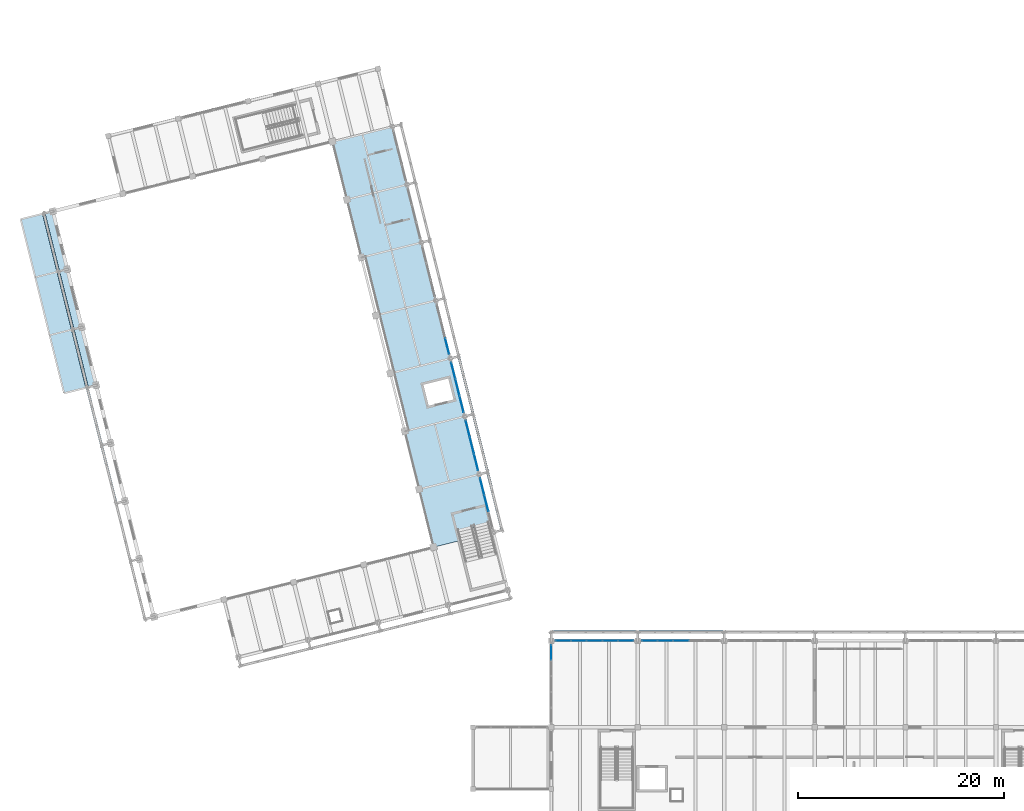
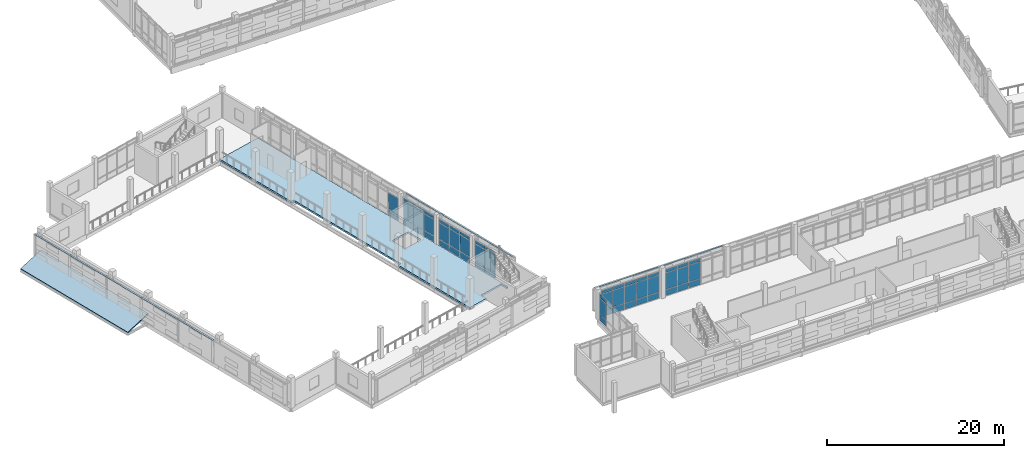
# One storey, part 94 of 137: 63 plates, 2 slabs, 7 elements without a shape of their own.
"""IFC4 building model written with IfcOpenShell, lengths in metres."""

from ifc_helpers import new_model, si_unit, direction, frame, origin, origin_2d, place, context, subcontext, project, spatial, polyline, rectangle, outline, extrude, material, layer, layer_set, type_object, element, aggregate, save


model = new_model("IFC4")

# Units and contexts
model_context = context("Model", 3, precision=1e-05, world=origin(), true_north=direction((0.0, 1.0)))
body_context = subcontext(model_context, "Body", "Model", "MODEL_VIEW")
ifc_project = project(units=[si_unit("LENGTHUNIT", "METRE"), si_unit("AREAUNIT", "SQUARE_METRE"), si_unit("VOLUMEUNIT", "CUBIC_METRE"), si_unit("PLANEANGLEUNIT", "RADIAN"), si_unit("MASSUNIT", "GRAM", prefix="KILO")], contexts=[model_context])

# Site, building, storey
site_placement = place(None, origin())
site = spatial("IfcSite", under=ifc_project, at=site_placement, CompositionType="ELEMENT")
building_placement = place(site_placement, origin())
building = spatial("IfcBuilding", under=site, at=building_placement, Name="Cinderway Yard Community Centre", CompositionType="ELEMENT")
storey_placement = place(building_placement, frame((0.0, 0.0, 4.800048828125)))
storey = spatial("IfcBuildingStorey", under=building, at=storey_placement, Name="L01", CompositionType="ELEMENT", Elevation=4.800048828125)

# Curtain wall, plates
ifc_material_1 = material(Name="Aluminium 6063-T6", Category="aluminium")
curtain_wall_type_1 = type_object("IfcCurtainWallType", Name="ENV-CW-TYPE-26", PredefinedType="USERDEFINED", material=ifc_material_1)
curtain_wall_1_placement = place(storey_placement, origin())
curtain_wall_1 = element("IfcCurtainWall", 1, at=curtain_wall_1_placement, inside=storey, type_object=curtain_wall_type_1, Name="Dining Courtyard Curtain Wall ENV-CW-L01-ST-0093", ObjectType="GLAZED CURTAIN WALL", PredefinedType="USERDEFINED")
ifc_material_2 = material(Name="Laminated Low-E Glass", Category="glass")
ifc_layer_1 = layer(ifc_material_2, 0.028076171875, Name="Laminated Low-E Glass")
ifc_layer_set_1 = layer_set([ifc_layer_1], Name="Laminated Low-E Glass")
plate_type_1 = type_object("IfcPlateType", Name="ENV-CW-PAN-IGU28", PredefinedType="CURTAIN_PANEL", material=ifc_layer_set_1)
plate_1_placement = place(storey_placement, frame((59.55908203125, 22.800048828125, 0.059814453125), z_axis=(0.0, 0.0, 1.0), x_axis=(1.0, 0.0, 0.0)))
plate_1 = element("IfcPlate", 2, at=plate_1_placement, type_object=plate_type_1, Name="CW-26 panel 1.1", PredefinedType="CURTAIN_PANEL", context=body_context, shape_type="SweptSolid", body=[
    extrude(rectangle(XDim=1.43798828125, YDim=0.028076171875, at=origin_2d()), origin(), (0.0, 0.0, 1.0), 0.81005859375),
])
plate_2_placement = place(storey_placement, frame((59.55908203125, 22.800048828125, 0.93017578125), z_axis=(0.0, 0.0, 1.0), x_axis=(1.0, 0.0, 0.0)))
plate_2 = element("IfcPlate", 3, at=plate_2_placement, type_object=plate_type_1, Name="CW-26 panel 1.2", PredefinedType="CURTAIN_PANEL", context=body_context, shape_type="SweptSolid", body=[
    extrude(rectangle(XDim=1.43798828125, YDim=0.028076171875, at=origin_2d()), origin(), (0.0, 0.0, 1.0), 2.239990234375),
])
plate_3_placement = place(storey_placement, frame((59.55908203125, 22.800048828125, 3.22998046875), z_axis=(0.0, 0.0, 1.0), x_axis=(1.0, 0.0, 0.0)))
plate_3 = element("IfcPlate", 4, at=plate_3_placement, type_object=plate_type_1, Name="CW-26 panel 1.3", PredefinedType="CURTAIN_PANEL", context=body_context, shape_type="SweptSolid", body=[
    extrude(rectangle(XDim=1.43798828125, YDim=0.028076171875, at=origin_2d()), origin(), (0.0, 0.0, 1.0), 0.4599609375),
])
plate_4_placement = place(storey_placement, frame((61.072021484375, 22.800048828125, 0.059814453125), z_axis=(0.0, 0.0, 1.0), x_axis=(1.0, 0.0, 0.0)))
plate_4 = element("IfcPlate", 5, at=plate_4_placement, type_object=plate_type_1, Name="CW-26 panel 2.1", PredefinedType="CURTAIN_PANEL", context=body_context, shape_type="SweptSolid", body=[
    extrude(rectangle(XDim=1.468017578125, YDim=0.028076171875, at=origin_2d()), origin(), (0.0, 0.0, 1.0), 0.81005859375),
])
plate_5_placement = place(storey_placement, frame((61.072021484375, 22.800048828125, 0.93017578125), z_axis=(0.0, 0.0, 1.0), x_axis=(1.0, 0.0, 0.0)))
plate_5 = element("IfcPlate", 6, at=plate_5_placement, type_object=plate_type_1, Name="CW-26 panel 2.2", PredefinedType="CURTAIN_PANEL", context=body_context, shape_type="SweptSolid", body=[
    extrude(rectangle(XDim=1.468017578125, YDim=0.028076171875, at=origin_2d()), origin(), (0.0, 0.0, 1.0), 2.239990234375),
])
plate_6_placement = place(storey_placement, frame((61.072021484375, 22.800048828125, 3.22998046875), z_axis=(0.0, 0.0, 1.0), x_axis=(1.0, 0.0, 0.0)))
plate_6 = element("IfcPlate", 7, at=plate_6_placement, type_object=plate_type_1, Name="CW-26 panel 2.3", PredefinedType="CURTAIN_PANEL", context=body_context, shape_type="SweptSolid", body=[
    extrude(rectangle(XDim=1.468017578125, YDim=0.028076171875, at=origin_2d()), origin(), (0.0, 0.0, 1.0), 0.4599609375),
])
plate_7_placement = place(storey_placement, frame((62.60009765625, 22.800048828125, 0.059814453125), z_axis=(0.0, 0.0, 1.0), x_axis=(1.0, 0.0, 0.0)))
plate_7 = element("IfcPlate", 8, at=plate_7_placement, type_object=plate_type_1, Name="CW-26 panel 3.1", PredefinedType="CURTAIN_PANEL", context=body_context, shape_type="SweptSolid", body=[
    extrude(rectangle(XDim=1.468017578125, YDim=0.028076171875, at=origin_2d()), origin(), (0.0, 0.0, 1.0), 0.81005859375),
])
plate_8_placement = place(storey_placement, frame((62.60009765625, 22.800048828125, 0.93017578125), z_axis=(0.0, 0.0, 1.0), x_axis=(1.0, 0.0, 0.0)))
plate_8 = element("IfcPlate", 9, at=plate_8_placement, type_object=plate_type_1, Name="CW-26 panel 3.2", PredefinedType="CURTAIN_PANEL", context=body_context, shape_type="SweptSolid", body=[
    extrude(rectangle(XDim=1.468017578125, YDim=0.028076171875, at=origin_2d()), origin(), (0.0, 0.0, 1.0), 2.239990234375),
])
plate_9_placement = place(storey_placement, frame((62.60009765625, 22.800048828125, 3.22998046875), z_axis=(0.0, 0.0, 1.0), x_axis=(1.0, 0.0, 0.0)))
plate_9 = element("IfcPlate", 10, at=plate_9_placement, type_object=plate_type_1, Name="CW-26 panel 3.3", PredefinedType="CURTAIN_PANEL", context=body_context, shape_type="SweptSolid", body=[
    extrude(rectangle(XDim=1.468017578125, YDim=0.028076171875, at=origin_2d()), origin(), (0.0, 0.0, 1.0), 0.4599609375),
])
plate_10_placement = place(storey_placement, frame((64.1279296875, 22.800048828125, 0.059814453125), z_axis=(0.0, 0.0, 1.0), x_axis=(1.0, 0.0, 0.0)))
plate_10 = element("IfcPlate", 11, at=plate_10_placement, type_object=plate_type_1, Name="CW-26 panel 4.1", PredefinedType="CURTAIN_PANEL", context=body_context, shape_type="SweptSolid", body=[
    extrude(rectangle(XDim=1.468017578125, YDim=0.028076171875, at=origin_2d()), origin(), (0.0, 0.0, 1.0), 0.81005859375),
])
plate_11_placement = place(storey_placement, frame((64.1279296875, 22.800048828125, 0.93017578125), z_axis=(0.0, 0.0, 1.0), x_axis=(1.0, 0.0, 0.0)))
plate_11 = element("IfcPlate", 12, at=plate_11_placement, type_object=plate_type_1, Name="CW-26 panel 4.2", PredefinedType="CURTAIN_PANEL", context=body_context, shape_type="SweptSolid", body=[
    extrude(rectangle(XDim=1.468017578125, YDim=0.028076171875, at=origin_2d()), origin(), (0.0, 0.0, 1.0), 2.239990234375),
])
plate_12_placement = place(storey_placement, frame((64.1279296875, 22.800048828125, 3.22998046875), z_axis=(0.0, 0.0, 1.0), x_axis=(1.0, 0.0, 0.0)))
plate_12 = element("IfcPlate", 13, at=plate_12_placement, type_object=plate_type_1, Name="CW-26 panel 4.3", PredefinedType="CURTAIN_PANEL", context=body_context, shape_type="SweptSolid", body=[
    extrude(rectangle(XDim=1.468017578125, YDim=0.028076171875, at=origin_2d()), origin(), (0.0, 0.0, 1.0), 0.4599609375),
])
plate_13_placement = place(storey_placement, frame((65.64111328125, 22.800048828125, 0.059814453125), z_axis=(0.0, 0.0, 1.0), x_axis=(1.0, 0.0, 0.0)))
plate_13 = element("IfcPlate", 14, at=plate_13_placement, type_object=plate_type_1, Name="CW-26 panel 5.1", PredefinedType="CURTAIN_PANEL", context=body_context, shape_type="SweptSolid", body=[
    extrude(rectangle(XDim=1.43798828125, YDim=0.028076171875, at=origin_2d()), origin(), (0.0, 0.0, 1.0), 0.81005859375),
])
plate_14_placement = place(storey_placement, frame((65.64111328125, 22.800048828125, 0.93017578125), z_axis=(0.0, 0.0, 1.0), x_axis=(1.0, 0.0, 0.0)))
plate_14 = element("IfcPlate", 15, at=plate_14_placement, type_object=plate_type_1, Name="CW-26 panel 5.2", PredefinedType="CURTAIN_PANEL", context=body_context, shape_type="SweptSolid", body=[
    extrude(rectangle(XDim=1.43798828125, YDim=0.028076171875, at=origin_2d()), origin(), (0.0, 0.0, 1.0), 2.239990234375),
])
plate_15_placement = place(storey_placement, frame((65.64111328125, 22.800048828125, 3.22998046875), z_axis=(0.0, 0.0, 1.0), x_axis=(1.0, 0.0, 0.0)))
plate_15 = element("IfcPlate", 16, at=plate_15_placement, type_object=plate_type_1, Name="CW-26 panel 5.3", PredefinedType="CURTAIN_PANEL", context=body_context, shape_type="SweptSolid", body=[
    extrude(rectangle(XDim=1.43798828125, YDim=0.028076171875, at=origin_2d()), origin(), (0.0, 0.0, 1.0), 0.4599609375),
])
aggregate(curtain_wall_1, [plate_1, plate_2, plate_3, plate_4, plate_5, plate_6, plate_7, plate_8, plate_9, plate_10, plate_11, plate_12, plate_13, plate_14, plate_15])

curtain_wall_2_placement = place(storey_placement, origin())
curtain_wall_2 = element("IfcCurtainWall", 17, at=curtain_wall_2_placement, inside=storey, type_object=curtain_wall_type_1, Name="Dining Courtyard Curtain Wall ENV-CW-L01-ST-0094", ObjectType="GLAZED CURTAIN WALL", PredefinedType="USERDEFINED")
plate_16_placement = place(storey_placement, frame((67.958984375, 22.800048828125, 0.059814453125), z_axis=(0.0, 0.0, 1.0), x_axis=(1.0, 0.0, 0.0)))
plate_16 = element("IfcPlate", 18, at=plate_16_placement, type_object=plate_type_1, Name="CW-26 panel 1.1", PredefinedType="CURTAIN_PANEL", context=body_context, shape_type="SweptSolid", body=[
    extrude(rectangle(XDim=1.43798828125, YDim=0.028076171875, at=origin_2d()), origin(), (0.0, 0.0, 1.0), 0.81005859375),
])
plate_17_placement = place(storey_placement, frame((67.958984375, 22.800048828125, 0.93017578125), z_axis=(0.0, 0.0, 1.0), x_axis=(1.0, 0.0, 0.0)))
plate_17 = element("IfcPlate", 19, at=plate_17_placement, type_object=plate_type_1, Name="CW-26 panel 1.2", PredefinedType="CURTAIN_PANEL", context=body_context, shape_type="SweptSolid", body=[
    extrude(rectangle(XDim=1.43798828125, YDim=0.028076171875, at=origin_2d()), origin(), (0.0, 0.0, 1.0), 2.239990234375),
])
plate_18_placement = place(storey_placement, frame((67.958984375, 22.800048828125, 3.22998046875), z_axis=(0.0, 0.0, 1.0), x_axis=(1.0, 0.0, 0.0)))
plate_18 = element("IfcPlate", 20, at=plate_18_placement, type_object=plate_type_1, Name="CW-26 panel 1.3", PredefinedType="CURTAIN_PANEL", context=body_context, shape_type="SweptSolid", body=[
    extrude(rectangle(XDim=1.43798828125, YDim=0.028076171875, at=origin_2d()), origin(), (0.0, 0.0, 1.0), 0.4599609375),
])
plate_19_placement = place(storey_placement, frame((69.471923828125, 22.800048828125, 0.059814453125), z_axis=(0.0, 0.0, 1.0), x_axis=(1.0, 0.0, 0.0)))
plate_19 = element("IfcPlate", 21, at=plate_19_placement, type_object=plate_type_1, Name="CW-26 panel 2.1", PredefinedType="CURTAIN_PANEL", context=body_context, shape_type="SweptSolid", body=[
    extrude(rectangle(XDim=1.468017578125, YDim=0.028076171875, at=origin_2d()), origin(), (0.0, 0.0, 1.0), 0.81005859375),
])
plate_20_placement = place(storey_placement, frame((69.471923828125, 22.800048828125, 0.93017578125), z_axis=(0.0, 0.0, 1.0), x_axis=(1.0, 0.0, 0.0)))
plate_20 = element("IfcPlate", 22, at=plate_20_placement, type_object=plate_type_1, Name="CW-26 panel 2.2", PredefinedType="CURTAIN_PANEL", context=body_context, shape_type="SweptSolid", body=[
    extrude(rectangle(XDim=1.468017578125, YDim=0.028076171875, at=origin_2d()), origin(), (0.0, 0.0, 1.0), 2.239990234375),
])
plate_21_placement = place(storey_placement, frame((69.471923828125, 22.800048828125, 3.22998046875), z_axis=(0.0, 0.0, 1.0), x_axis=(1.0, 0.0, 0.0)))
plate_21 = element("IfcPlate", 23, at=plate_21_placement, type_object=plate_type_1, Name="CW-26 panel 2.3", PredefinedType="CURTAIN_PANEL", context=body_context, shape_type="SweptSolid", body=[
    extrude(rectangle(XDim=1.468017578125, YDim=0.028076171875, at=origin_2d()), origin(), (0.0, 0.0, 1.0), 0.4599609375),
])
plate_22_placement = place(storey_placement, frame((71.0, 22.800048828125, 0.059814453125), z_axis=(0.0, 0.0, 1.0), x_axis=(1.0, 0.0, 0.0)))
plate_22 = element("IfcPlate", 24, at=plate_22_placement, type_object=plate_type_1, Name="CW-26 panel 3.1", PredefinedType="CURTAIN_PANEL", context=body_context, shape_type="SweptSolid", body=[
    extrude(rectangle(XDim=1.468017578125, YDim=0.028076171875, at=origin_2d()), origin(), (0.0, 0.0, 1.0), 0.81005859375),
])
plate_23_placement = place(storey_placement, frame((71.0, 22.800048828125, 0.93017578125), z_axis=(0.0, 0.0, 1.0), x_axis=(1.0, 0.0, 0.0)))
plate_23 = element("IfcPlate", 25, at=plate_23_placement, type_object=plate_type_1, Name="CW-26 panel 3.2", PredefinedType="CURTAIN_PANEL", context=body_context, shape_type="SweptSolid", body=[
    extrude(rectangle(XDim=1.468017578125, YDim=0.028076171875, at=origin_2d()), origin(), (0.0, 0.0, 1.0), 2.239990234375),
])
plate_24_placement = place(storey_placement, frame((71.0, 22.800048828125, 3.22998046875), z_axis=(0.0, 0.0, 1.0), x_axis=(1.0, 0.0, 0.0)))
plate_24 = element("IfcPlate", 26, at=plate_24_placement, type_object=plate_type_1, Name="CW-26 panel 3.3", PredefinedType="CURTAIN_PANEL", context=body_context, shape_type="SweptSolid", body=[
    extrude(rectangle(XDim=1.468017578125, YDim=0.028076171875, at=origin_2d()), origin(), (0.0, 0.0, 1.0), 0.4599609375),
])
aggregate(curtain_wall_2, [plate_16, plate_17, plate_18, plate_19, plate_20, plate_21, plate_22, plate_23, plate_24])

curtain_wall_type_2 = type_object("IfcCurtainWallType", Name="ENV-CW-TYPE-28", PredefinedType="USERDEFINED", material=ifc_material_1)
curtain_wall_3_placement = place(storey_placement, origin())
curtain_wall_3 = element("IfcCurtainWall", 27, at=curtain_wall_3_placement, inside=storey, type_object=curtain_wall_type_2, Name="V3 West Curtain Wall ENV-CW-L01-ST-0100", ObjectType="GLAZED CURTAIN WALL", PredefinedType="USERDEFINED")
plate_25_placement = place(storey_placement, frame((58.39990234375, 21.656982421875, 0.059814453125), z_axis=(0.0, 0.0, 1.0), x_axis=(0.0, 1.0, 0.0)))
plate_25 = element("IfcPlate", 28, at=plate_25_placement, type_object=plate_type_1, Name="CW-28 panel 5.1", PredefinedType="CURTAIN_PANEL", context=body_context, shape_type="SweptSolid", body=[
    extrude(rectangle(XDim=1.446044921875, YDim=0.028076171875, at=origin_2d()), origin(), (0.0, 0.0, 1.0), 0.81005859375),
])
plate_26_placement = place(storey_placement, frame((58.39990234375, 21.656982421875, 0.93017578125), z_axis=(0.0, 0.0, 1.0), x_axis=(0.0, 1.0, 0.0)))
plate_26 = element("IfcPlate", 29, at=plate_26_placement, type_object=plate_type_1, Name="CW-28 panel 5.2", PredefinedType="CURTAIN_PANEL", context=body_context, shape_type="SweptSolid", body=[
    extrude(rectangle(XDim=1.446044921875, YDim=0.028076171875, at=origin_2d()), origin(), (0.0, 0.0, 1.0), 2.239990234375),
])
plate_27_placement = place(storey_placement, frame((58.39990234375, 21.656982421875, 3.22998046875), z_axis=(0.0, 0.0, 1.0), x_axis=(0.0, 1.0, 0.0)))
plate_27 = element("IfcPlate", 30, at=plate_27_placement, type_object=plate_type_1, Name="CW-28 panel 5.3", PredefinedType="CURTAIN_PANEL", context=body_context, shape_type="SweptSolid", body=[
    extrude(rectangle(XDim=1.446044921875, YDim=0.028076171875, at=origin_2d()), origin(), (0.0, 0.0, 1.0), 0.4599609375),
])
aggregate(curtain_wall_3, [plate_25, plate_26, plate_27])

curtain_wall_type_3 = type_object("IfcCurtainWallType", Name="ENV-CW-TYPE-04", PredefinedType="USERDEFINED", material=ifc_material_1)
curtain_wall_4_placement = place(storey_placement, origin())
curtain_wall_4 = element("IfcCurtainWall", 31, at=curtain_wall_4_placement, inside=storey, type_object=curtain_wall_type_3, Name="Main Hall Courtyard Curtain Wall ENV-CW-L01-HS-0010", ObjectType="GLAZED CURTAIN WALL", PredefinedType="USERDEFINED")
ifc_layer_2 = layer(ifc_material_2, 0.031982421875, Name="Laminated Low-E Glass")
ifc_layer_set_2 = layer_set([ifc_layer_2], Name="Laminated Low-E Glass")
plate_type_2 = type_object("IfcPlateType", Name="ENV-CW-PAN-IGU32", PredefinedType="CURTAIN_PANEL", material=ifc_layer_set_2)
plate_28_placement = place(storey_placement, frame((52.097412109375, 36.156005859375, 0.059814453125), z_axis=(0.0, 0.0, 1.0), x_axis=(-0.241887234827, 0.97030436752, 0.0)))
plate_28 = element("IfcPlate", 32, at=plate_28_placement, type_object=plate_type_2, Name="CW-04 panel 2.1", PredefinedType="CURTAIN_PANEL", context=body_context, shape_type="SweptSolid", body=[
    extrude(rectangle(XDim=1.633544921875, YDim=0.028076171875, at=origin_2d()), origin(), (0.0, 0.0, 1.0), 0.81005859375),
])
plate_29_placement = place(storey_placement, frame((52.097412109375, 36.156005859375, 0.93017578125), z_axis=(0.0, 0.0, 1.0), x_axis=(-0.241887234827, 0.97030436752, 0.0)))
plate_29 = element("IfcPlate", 33, at=plate_29_placement, type_object=plate_type_2, Name="CW-04 panel 2.2", PredefinedType="CURTAIN_PANEL", context=body_context, shape_type="SweptSolid", body=[
    extrude(rectangle(XDim=1.633544921875, YDim=0.028076171875, at=origin_2d()), origin(), (0.0, 0.0, 1.0), 2.239990234375),
])
plate_30_placement = place(storey_placement, frame((52.097412109375, 36.156005859375, 3.22998046875), z_axis=(0.0, 0.0, 1.0), x_axis=(-0.241887234827, 0.97030436752, 0.0)))
plate_30 = element("IfcPlate", 34, at=plate_30_placement, type_object=plate_type_2, Name="CW-04 panel 2.3", PredefinedType="CURTAIN_PANEL", context=body_context, shape_type="SweptSolid", body=[
    extrude(rectangle(XDim=1.633544921875, YDim=0.028076171875, at=origin_2d()), origin(), (0.0, 0.0, 1.0), 0.4599609375),
])
plate_31_placement = place(storey_placement, frame((51.69140625, 37.78466796875, 0.059814453125), z_axis=(0.0, 0.0, 1.0), x_axis=(-0.241887234827, 0.97030436752, 0.0)))
plate_31 = element("IfcPlate", 35, at=plate_31_placement, type_object=plate_type_2, Name="CW-04 panel 3.1", PredefinedType="CURTAIN_PANEL", context=body_context, shape_type="SweptSolid", body=[
    extrude(rectangle(XDim=1.603515625, YDim=0.028076171875, at=origin_2d()), origin(), (0.0, 0.0, 1.0), 0.81005859375),
])
plate_32_placement = place(storey_placement, frame((51.69140625, 37.78466796875, 0.93017578125), z_axis=(0.0, 0.0, 1.0), x_axis=(-0.241887234827, 0.97030436752, 0.0)))
plate_32 = element("IfcPlate", 36, at=plate_32_placement, type_object=plate_type_2, Name="CW-04 panel 3.2", PredefinedType="CURTAIN_PANEL", context=body_context, shape_type="SweptSolid", body=[
    extrude(rectangle(XDim=1.603515625, YDim=0.028076171875, at=origin_2d()), origin(), (0.0, 0.0, 1.0), 2.239990234375),
])
plate_33_placement = place(storey_placement, frame((51.69140625, 37.78466796875, 3.22998046875), z_axis=(0.0, 0.0, 1.0), x_axis=(-0.241887234827, 0.97030436752, 0.0)))
plate_33 = element("IfcPlate", 37, at=plate_33_placement, type_object=plate_type_2, Name="CW-04 panel 3.3", PredefinedType="CURTAIN_PANEL", context=body_context, shape_type="SweptSolid", body=[
    extrude(rectangle(XDim=1.603515625, YDim=0.028076171875, at=origin_2d()), origin(), (0.0, 0.0, 1.0), 0.4599609375),
])
aggregate(curtain_wall_4, [plate_28, plate_29, plate_30, plate_31, plate_32, plate_33])

curtain_wall_5_placement = place(storey_placement, origin())
curtain_wall_5 = element("IfcCurtainWall", 38, at=curtain_wall_5_placement, inside=storey, type_object=curtain_wall_type_3, Name="Main Hall Courtyard Curtain Wall ENV-CW-L01-HS-0011", ObjectType="GLAZED CURTAIN WALL", PredefinedType="USERDEFINED")
plate_34_placement = place(storey_placement, frame((51.1005859375, 40.1552734375, 0.059814453125), z_axis=(0.0, 0.0, 1.0), x_axis=(-0.241887234827, 0.97030436752, 0.0)))
plate_34 = element("IfcPlate", 39, at=plate_34_placement, type_object=plate_type_2, Name="CW-04 panel 1.1", PredefinedType="CURTAIN_PANEL", context=body_context, shape_type="SweptSolid", body=[
    extrude(rectangle(XDim=1.603515625, YDim=0.028076171875, at=origin_2d()), origin(), (0.0, 0.0, 1.0), 0.81005859375),
])
plate_35_placement = place(storey_placement, frame((51.1005859375, 40.1552734375, 0.93017578125), z_axis=(0.0, 0.0, 1.0), x_axis=(-0.241887234827, 0.97030436752, 0.0)))
plate_35 = element("IfcPlate", 40, at=plate_35_placement, type_object=plate_type_2, Name="CW-04 panel 1.2", PredefinedType="CURTAIN_PANEL", context=body_context, shape_type="SweptSolid", body=[
    extrude(rectangle(XDim=1.603515625, YDim=0.028076171875, at=origin_2d()), origin(), (0.0, 0.0, 1.0), 2.239990234375),
])
plate_36_placement = place(storey_placement, frame((51.1005859375, 40.1552734375, 3.22998046875), z_axis=(0.0, 0.0, 1.0), x_axis=(-0.241887234827, 0.97030436752, 0.0)))
plate_36 = element("IfcPlate", 41, at=plate_36_placement, type_object=plate_type_2, Name="CW-04 panel 1.3", PredefinedType="CURTAIN_PANEL", context=body_context, shape_type="SweptSolid", body=[
    extrude(rectangle(XDim=1.603515625, YDim=0.028076171875, at=origin_2d()), origin(), (0.0, 0.0, 1.0), 0.4599609375),
])
plate_37_placement = place(storey_placement, frame((50.694580078125, 41.783935546875, 0.059814453125), z_axis=(0.0, 0.0, 1.0), x_axis=(-0.241887234827, 0.97030436752, 0.0)))
plate_37 = element("IfcPlate", 42, at=plate_37_placement, type_object=plate_type_2, Name="CW-04 panel 2.1", PredefinedType="CURTAIN_PANEL", context=body_context, shape_type="SweptSolid", body=[
    extrude(rectangle(XDim=1.633544921875, YDim=0.028076171875, at=origin_2d()), origin(), (0.0, 0.0, 1.0), 0.81005859375),
])
plate_38_placement = place(storey_placement, frame((50.694580078125, 41.783935546875, 0.93017578125), z_axis=(0.0, 0.0, 1.0), x_axis=(-0.241887234827, 0.97030436752, 0.0)))
plate_38 = element("IfcPlate", 43, at=plate_38_placement, type_object=plate_type_2, Name="CW-04 panel 2.2", PredefinedType="CURTAIN_PANEL", context=body_context, shape_type="SweptSolid", body=[
    extrude(rectangle(XDim=1.633544921875, YDim=0.028076171875, at=origin_2d()), origin(), (0.0, 0.0, 1.0), 2.239990234375),
])
plate_39_placement = place(storey_placement, frame((50.694580078125, 41.783935546875, 3.22998046875), z_axis=(0.0, 0.0, 1.0), x_axis=(-0.241887234827, 0.97030436752, 0.0)))
plate_39 = element("IfcPlate", 44, at=plate_39_placement, type_object=plate_type_2, Name="CW-04 panel 2.3", PredefinedType="CURTAIN_PANEL", context=body_context, shape_type="SweptSolid", body=[
    extrude(rectangle(XDim=1.633544921875, YDim=0.028076171875, at=origin_2d()), origin(), (0.0, 0.0, 1.0), 0.4599609375),
])
plate_40_placement = place(storey_placement, frame((50.28857421875, 43.412841796875, 0.059814453125), z_axis=(0.0, 0.0, 1.0), x_axis=(-0.241887234827, 0.97030436752, 0.0)))
plate_40 = element("IfcPlate", 45, at=plate_40_placement, type_object=plate_type_2, Name="CW-04 panel 3.1", PredefinedType="CURTAIN_PANEL", context=body_context, shape_type="SweptSolid", body=[
    extrude(rectangle(XDim=1.603515625, YDim=0.028076171875, at=origin_2d()), origin(), (0.0, 0.0, 1.0), 0.81005859375),
])
plate_41_placement = place(storey_placement, frame((50.28857421875, 43.412841796875, 0.93017578125), z_axis=(0.0, 0.0, 1.0), x_axis=(-0.241887234827, 0.97030436752, 0.0)))
plate_41 = element("IfcPlate", 46, at=plate_41_placement, type_object=plate_type_2, Name="CW-04 panel 3.2", PredefinedType="CURTAIN_PANEL", context=body_context, shape_type="SweptSolid", body=[
    extrude(rectangle(XDim=1.603515625, YDim=0.028076171875, at=origin_2d()), origin(), (0.0, 0.0, 1.0), 2.239990234375),
])
plate_42_placement = place(storey_placement, frame((50.28857421875, 43.412841796875, 3.22998046875), z_axis=(0.0, 0.0, 1.0), x_axis=(-0.241887234827, 0.97030436752, 0.0)))
plate_42 = element("IfcPlate", 47, at=plate_42_placement, type_object=plate_type_2, Name="CW-04 panel 3.3", PredefinedType="CURTAIN_PANEL", context=body_context, shape_type="SweptSolid", body=[
    extrude(rectangle(XDim=1.603515625, YDim=0.028076171875, at=origin_2d()), origin(), (0.0, 0.0, 1.0), 0.4599609375),
])
aggregate(curtain_wall_5, [plate_34, plate_35, plate_36, plate_37, plate_38, plate_39, plate_40, plate_41, plate_42])

curtain_wall_6_placement = place(storey_placement, origin())
curtain_wall_6 = element("IfcCurtainWall", 48, at=curtain_wall_6_placement, inside=storey, type_object=curtain_wall_type_3, Name="Main Hall Courtyard Curtain Wall ENV-CW-L01-HS-0012", ObjectType="GLAZED CURTAIN WALL", PredefinedType="USERDEFINED")
plate_43_placement = place(storey_placement, frame((49.697509765625, 45.782958984375, 0.059814453125), z_axis=(0.0, 0.0, 1.0), x_axis=(-0.241933436991, 0.970292848611, 0.0)))
plate_43 = element("IfcPlate", 49, at=plate_43_placement, type_object=plate_type_2, Name="CW-04 panel 1.1", PredefinedType="CURTAIN_PANEL", context=body_context, shape_type="SweptSolid", body=[
    extrude(rectangle(XDim=1.603271484375, YDim=0.028076171875, at=origin_2d()), origin(), (0.0, 0.0, 1.0), 0.81005859375),
])
plate_44_placement = place(storey_placement, frame((49.697509765625, 45.782958984375, 0.93017578125), z_axis=(0.0, 0.0, 1.0), x_axis=(-0.241933436991, 0.970292848611, 0.0)))
plate_44 = element("IfcPlate", 50, at=plate_44_placement, type_object=plate_type_2, Name="CW-04 panel 1.2", PredefinedType="CURTAIN_PANEL", context=body_context, shape_type="SweptSolid", body=[
    extrude(rectangle(XDim=1.603271484375, YDim=0.028076171875, at=origin_2d()), origin(), (0.0, 0.0, 1.0), 2.239990234375),
])
plate_45_placement = place(storey_placement, frame((49.697509765625, 45.782958984375, 3.22998046875), z_axis=(0.0, 0.0, 1.0), x_axis=(-0.241933436991, 0.970292848611, 0.0)))
plate_45 = element("IfcPlate", 51, at=plate_45_placement, type_object=plate_type_2, Name="CW-04 panel 1.3", PredefinedType="CURTAIN_PANEL", context=body_context, shape_type="SweptSolid", body=[
    extrude(rectangle(XDim=1.603271484375, YDim=0.028076171875, at=origin_2d()), origin(), (0.0, 0.0, 1.0), 0.4599609375),
])
plate_46_placement = place(storey_placement, frame((49.29150390625, 47.41162109375, 0.059814453125), z_axis=(0.0, 0.0, 1.0), x_axis=(-0.241933436991, 0.970292848611, 0.0)))
plate_46 = element("IfcPlate", 52, at=plate_46_placement, type_object=plate_type_2, Name="CW-04 panel 2.1", PredefinedType="CURTAIN_PANEL", context=body_context, shape_type="SweptSolid", body=[
    extrude(rectangle(XDim=1.63330078125, YDim=0.028076171875, at=origin_2d()), origin(), (0.0, 0.0, 1.0), 0.81005859375),
])
plate_47_placement = place(storey_placement, frame((49.29150390625, 47.41162109375, 0.93017578125), z_axis=(0.0, 0.0, 1.0), x_axis=(-0.241933436991, 0.970292848611, 0.0)))
plate_47 = element("IfcPlate", 53, at=plate_47_placement, type_object=plate_type_2, Name="CW-04 panel 2.2", PredefinedType="CURTAIN_PANEL", context=body_context, shape_type="SweptSolid", body=[
    extrude(rectangle(XDim=1.63330078125, YDim=0.028076171875, at=origin_2d()), origin(), (0.0, 0.0, 1.0), 2.239990234375),
])
plate_48_placement = place(storey_placement, frame((49.29150390625, 47.41162109375, 3.22998046875), z_axis=(0.0, 0.0, 1.0), x_axis=(-0.241933436991, 0.970292848611, 0.0)))
plate_48 = element("IfcPlate", 54, at=plate_48_placement, type_object=plate_type_2, Name="CW-04 panel 2.3", PredefinedType="CURTAIN_PANEL", context=body_context, shape_type="SweptSolid", body=[
    extrude(rectangle(XDim=1.63330078125, YDim=0.028076171875, at=origin_2d()), origin(), (0.0, 0.0, 1.0), 0.4599609375),
])
plate_49_placement = place(storey_placement, frame((48.885498046875, 49.0400390625, 0.059814453125), z_axis=(0.0, 0.0, 1.0), x_axis=(-0.241933436991, 0.970292848611, 0.0)))
plate_49 = element("IfcPlate", 55, at=plate_49_placement, type_object=plate_type_2, Name="CW-04 panel 3.1", PredefinedType="CURTAIN_PANEL", context=body_context, shape_type="SweptSolid", body=[
    extrude(rectangle(XDim=1.603271484375, YDim=0.028076171875, at=origin_2d()), origin(), (0.0, 0.0, 1.0), 0.81005859375),
])
plate_50_placement = place(storey_placement, frame((48.885498046875, 49.0400390625, 0.93017578125), z_axis=(0.0, 0.0, 1.0), x_axis=(-0.241933436991, 0.970292848611, 0.0)))
plate_50 = element("IfcPlate", 56, at=plate_50_placement, type_object=plate_type_2, Name="CW-04 panel 3.2", PredefinedType="CURTAIN_PANEL", context=body_context, shape_type="SweptSolid", body=[
    extrude(rectangle(XDim=1.603271484375, YDim=0.028076171875, at=origin_2d()), origin(), (0.0, 0.0, 1.0), 2.239990234375),
])
plate_51_placement = place(storey_placement, frame((48.885498046875, 49.0400390625, 3.22998046875), z_axis=(0.0, 0.0, 1.0), x_axis=(-0.241933436991, 0.970292848611, 0.0)))
plate_51 = element("IfcPlate", 57, at=plate_51_placement, type_object=plate_type_2, Name="CW-04 panel 3.3", PredefinedType="CURTAIN_PANEL", context=body_context, shape_type="SweptSolid", body=[
    extrude(rectangle(XDim=1.603271484375, YDim=0.028076171875, at=origin_2d()), origin(), (0.0, 0.0, 1.0), 0.4599609375),
])
aggregate(curtain_wall_6, [plate_43, plate_44, plate_45, plate_46, plate_47, plate_48, plate_49, plate_50, plate_51])

curtain_wall_7_placement = place(storey_placement, origin())
curtain_wall_7 = element("IfcCurtainWall", 58, at=curtain_wall_7_placement, inside=storey, type_object=curtain_wall_type_3, Name="Main Hall Courtyard Curtain Wall ENV-CW-L01-HS-0013", ObjectType="GLAZED CURTAIN WALL", PredefinedType="USERDEFINED")
plate_52_placement = place(storey_placement, frame((48.29443359375, 51.41015625, 0.059814453125), z_axis=(0.0, 0.0, 1.0), x_axis=(-0.241887234827, 0.97030436752, 0.0)))
plate_52 = element("IfcPlate", 59, at=plate_52_placement, type_object=plate_type_2, Name="CW-04 panel 1.1", PredefinedType="CURTAIN_PANEL", context=body_context, shape_type="SweptSolid", body=[
    extrude(rectangle(XDim=1.603515625, YDim=0.028076171875, at=origin_2d()), origin(), (0.0, 0.0, 1.0), 0.81005859375),
])
plate_53_placement = place(storey_placement, frame((48.29443359375, 51.41015625, 0.93017578125), z_axis=(0.0, 0.0, 1.0), x_axis=(-0.241887234827, 0.97030436752, 0.0)))
plate_53 = element("IfcPlate", 60, at=plate_53_placement, type_object=plate_type_2, Name="CW-04 panel 1.2", PredefinedType="CURTAIN_PANEL", context=body_context, shape_type="SweptSolid", body=[
    extrude(rectangle(XDim=1.603515625, YDim=0.028076171875, at=origin_2d()), origin(), (0.0, 0.0, 1.0), 2.239990234375),
])
aggregate(curtain_wall_7, [plate_52, plate_53])

# Plates
ifc_layer_3 = layer(ifc_material_1, 0.01611328125, Name="Aluminium 6063-T6")
ifc_layer_set_3 = layer_set([ifc_layer_3], Name="Aluminium 6063-T6")
plate_type_3 = type_object("IfcPlateType", Name="ENV-PLT-FASCIA16", PredefinedType="USERDEFINED", material=ifc_layer_set_3)
for number, where, z_axis, x_axis, name in (
    (61, (62.60009765625, 23.64990234375, 3.7119140625), (0.0, 0.0, 1.0), (1.0, 0.0, 0.0), "Screen coping fascia 0074"),
    (62, (71.0, 23.64990234375, 3.7119140625), (0.0, 0.0, 1.0), (1.0, 0.0, 0.0), "Screen coping fascia 0075"),
):
    element("IfcPlate", number, at=place(storey_placement, frame(where, z_axis=z_axis, x_axis=x_axis)), inside=storey, type_object=plate_type_3, Name=name, ObjectType="FASCIA PLATE", PredefinedType="USERDEFINED", context=body_context, shape_type="SweptSolid", body=[
        extrude(rectangle(XDim=8.300048828125, YDim=0.260009765625, at=origin_2d()), origin(), (0.0, 0.0, 1.0), 0.01611328125),
    ])
for number, where, z_axis, x_axis, name in (
    (63, (15.427978515625, 38.968017578125, 3.7119140625), (0.0, 0.0, 1.0), (-0.2419218956, 0.970295726276, 0.0), "Screen coping fascia 0094"),
    (64, (14.02587890625, 44.595947265625, 3.7119140625), (0.0, 0.0, 1.0), (-0.2419218956, 0.970295726276, 0.0), "Screen coping fascia 0095"),
):
    element("IfcPlate", number, at=place(storey_placement, frame(where, z_axis=z_axis, x_axis=x_axis)), inside=storey, type_object=plate_type_3, Name=name, ObjectType="FASCIA PLATE", PredefinedType="USERDEFINED", context=body_context, shape_type="SweptSolid", body=[
        extrude(rectangle(XDim=5.699951171875, YDim=0.260009765625, at=origin_2d()), origin(), (0.0, 0.0, 1.0), 0.01611328125),
    ])
plate_54_placement = place(storey_placement, frame((12.6220703125, 50.22412109375, 3.7119140625), z_axis=(0.0, 0.0, 1.0), x_axis=(-0.2419218956, 0.970295726276, 0.0)))
element("IfcPlate", 65, at=plate_54_placement, inside=storey, type_object=plate_type_3, Name="Screen coping fascia 0096", ObjectType="FASCIA PLATE", PredefinedType="USERDEFINED", context=body_context, shape_type="SweptSolid", body=[
    extrude(rectangle(XDim=5.698974609375, YDim=0.260009765625, at=origin_2d()), origin(), (0.0, 0.0, 1.0), 0.01611328125),
])
for number, where, z_axis, x_axis, name in (
    (66, (11.219970703125, 55.85107421875, 3.7119140625), (0.0, 0.0, 1.0), (-0.2419218956, 0.970295726276, 0.0), "Screen coping fascia 0097"),
    (67, (9.81591796875, 61.47900390625, 3.7119140625), (0.0, 0.0, 1.0), (-0.2419218956, 0.970295726276, 0.0), "Screen coping fascia 0098"),
    (68, (52.922119140625, 36.362060546875, 3.7119140625), (0.0, 0.0, 1.0), (0.2419218956, -0.970295726276, 0.0), "Screen coping fascia 0099"),
    (69, (51.51904296875, 41.989990234375, 3.7119140625), (0.0, 0.0, 1.0), (0.2419218956, -0.970295726276, 0.0), "Screen coping fascia 0100"),
):
    element("IfcPlate", number, at=place(storey_placement, frame(where, z_axis=z_axis, x_axis=x_axis)), inside=storey, type_object=plate_type_3, Name=name, ObjectType="FASCIA PLATE", PredefinedType="USERDEFINED", context=body_context, shape_type="SweptSolid", body=[
        extrude(rectangle(XDim=5.699951171875, YDim=0.260009765625, at=origin_2d()), origin(), (0.0, 0.0, 1.0), 0.01611328125),
    ])
plate_55_placement = place(storey_placement, frame((50.116943359375, 47.616943359375, 3.7119140625), z_axis=(0.0, 0.0, 1.0), x_axis=(0.2419218956, -0.970295726276, 0.0)))
element("IfcPlate", 70, at=plate_55_placement, inside=storey, type_object=plate_type_3, Name="Screen coping fascia 0101", ObjectType="FASCIA PLATE", PredefinedType="USERDEFINED", context=body_context, shape_type="SweptSolid", body=[
    extrude(rectangle(XDim=5.698974609375, YDim=0.260009765625, at=origin_2d()), origin(), (0.0, 0.0, 1.0), 0.01611328125),
])

# Slabs
ifc_material_3 = material(Name="Concrete C35/45", Category="concrete")
ifc_layer_4 = layer(ifc_material_3, 0.239990234375, Name="Concrete C35/45")
ifc_layer_set_4 = layer_set([ifc_layer_4], Name="Concrete C35/45")
slab_type_1 = type_object("IfcSlabType", Name="STR-SLAB-FLR-240", PredefinedType="FLOOR", material=ifc_layer_set_4)
slab_1_placement = place(storey_placement, frame((0.0, 0.0, -0.239990234375)))
element("IfcSlab", 71, at=slab_1_placement, inside=storey, type_object=slab_type_1, Name="V1 Courtyard Balcony Gallery Slab L01 STR-SLAB-L01-011", PredefinedType="FLOOR", context=body_context, shape_type="SweptSolid", body=[
    extrude(outline(polyline([(46.97802734375, 31.89111328125), (44.1708984375, 43.14599609375), (44.56005859375, 43.242919921875), (40.35009765625, 60.1259765625), (39.9619140625, 60.029052734375), (37.156005859375, 71.284912109375), (42.97705078125, 72.736083984375), (52.799072265625, 33.342041015625), (52.595947265625, 33.291015625), (52.3779296875, 34.1650390625), (49.31201171875, 33.40087890625), (49.530029296875, 32.527099609375), (46.97802734375, 31.89111328125)]), holes=[polyline([(46.489013671875, 45.631103515625), (48.9150390625, 46.236083984375), (48.406982421875, 48.27294921875), (45.98095703125, 47.66796875), (46.489013671875, 45.631103515625)])]), origin(), (0.0, 0.0, 1.0), 0.239990234375),
])
ifc_material_4 = material(Name="Concrete C40/50", Category="concrete")
ifc_layer_5 = layer(ifc_material_4, 0.159912109375, Name="Concrete C40/50")
ifc_layer_set_5 = layer_set([ifc_layer_5], Name="Concrete C40/50")
slab_type_2 = type_object("IfcSlabType", Name="STR-SLAB-ROOF-CN160", PredefinedType="ROOF", material=ifc_layer_set_5)
slab_2_placement = place(storey_placement, frame((11.092041015625, 46.85400390625, 0.099853515625), z_axis=(-0.302521727751, -0.075436852679, 0.950152559064), x_axis=(0.921945191271, 0.229797629842, 0.311785364653)))
element("IfcSlab", 72, at=slab_2_placement, inside=storey, type_object=slab_type_2, Name="Attached Rail Forecourt Arched Loggia Canopy", PredefinedType="ROOF", context=body_context, shape_type="SweptSolid", body=[
    extrude(outline(polyline([(0.0, 0.0), (3.3678579791388294, 6.468621211591641e-17), (3.3661911378738454, 17.40003936338847), (-0.0016668412649840647, 17.400039363388466), (0.0, 0.0)])), origin(), (0.0, 0.0, -1.0), 0.159912109375),
])

save(model, "model.ifc")
